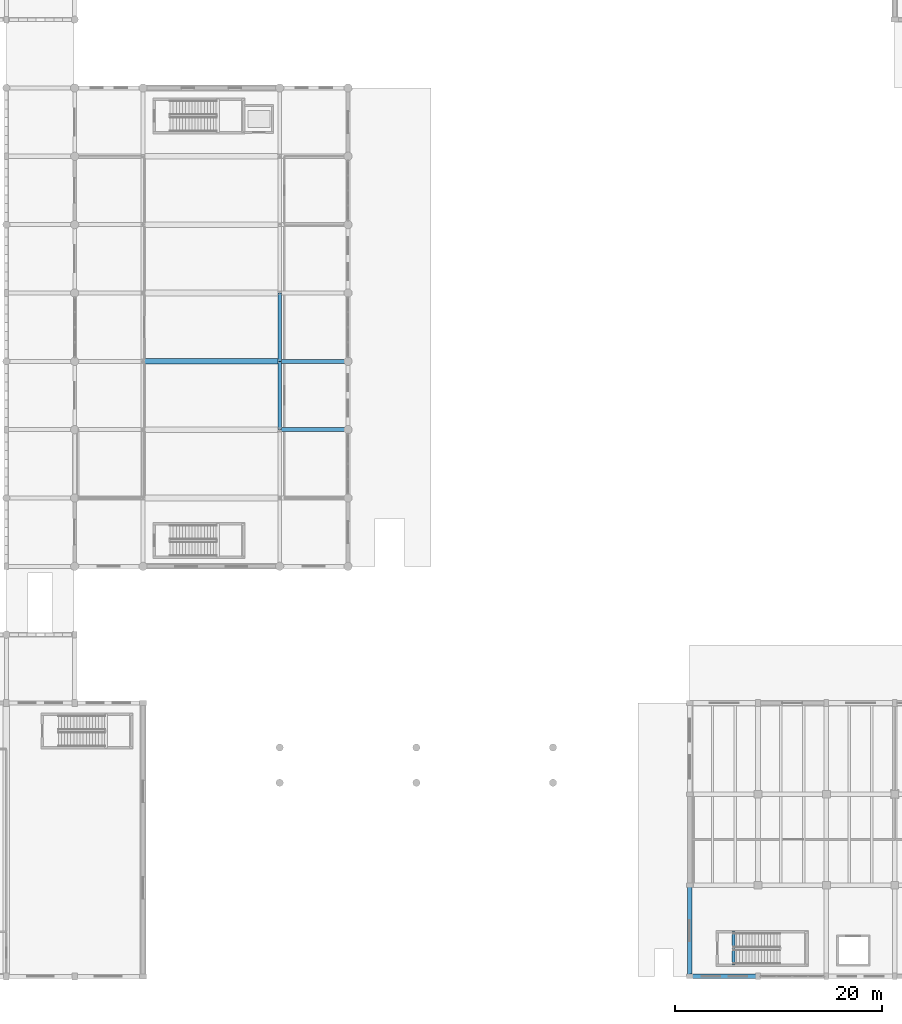
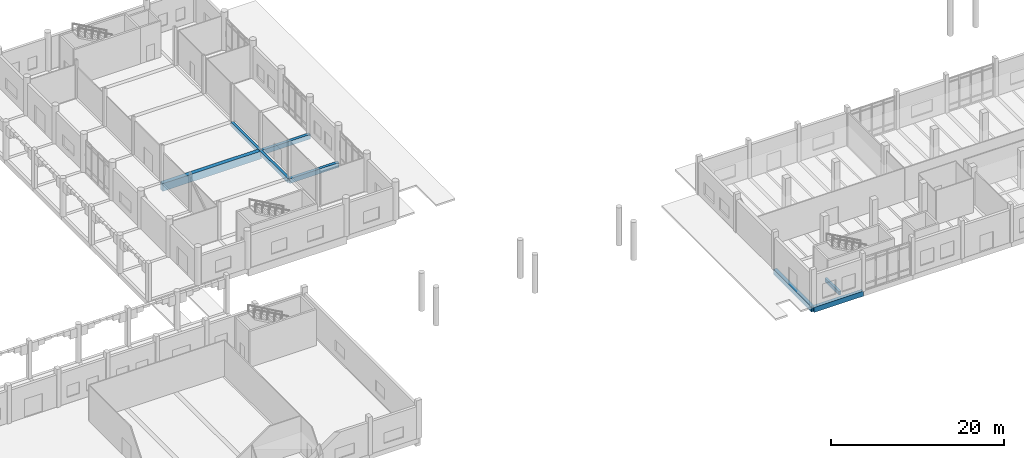
# One storey, part 9 of 72: 8 beams.
"""IFC4 building model written with IfcOpenShell, lengths in metres."""

import ifcopenshell
import ifcopenshell.guid

model = None  # the IFC model being written
_history = None  # IfcOwnerHistory: only IFC2X3 demands one
_inside = {}  # id of a spatial element -> (the spatial element, [elements in it])
_under = {}  # id of a project, library or spatial element -> (it, [spatial elements below it])
_declared = {}  # id of a project -> (the project, [libraries it declares])
_typed = {}  # id of a type object -> (the type object, [elements of that type])
_made_of = {}  # id of a material, layer set ... -> (it, [elements and type objects made of it])


def new_model(schema):
    """Start an empty IFC model of exactly this schema.

    Asked for "IFC4X3", IfcOpenShell would pick the latest addendum, in which some entities
    have other attributes; the version numbers below select the first issue.
    IFC2X3 requires an IfcOwnerHistory on every rooted entity: one is made here for all.
    """
    global model, _history
    if schema == "IFC4X3":
        model = ifcopenshell.file(schema_version=(4, 3, 0, 0))
    else:
        model = ifcopenshell.file(schema=schema)
    _inside.clear()
    _under.clear()
    _declared.clear()
    _typed.clear()
    _made_of.clear()
    _history = None
    if model.schema == "IFC2X3":
        org = make("IfcOrganization", Name="unknown")
        user = make(
            "IfcPersonAndOrganization",
            ThePerson=make("IfcPerson", FamilyName="unknown"),
            TheOrganization=org,
        )
        app = make(
            "IfcApplication",
            ApplicationDeveloper=org,
            Version="unknown",
            ApplicationFullName="unknown",
            ApplicationIdentifier="unknown",
        )
        _history = make(
            "IfcOwnerHistory",
            OwningUser=user,
            OwningApplication=app,
            ChangeAction="ADDED",
            CreationDate=0,
        )
    return model


def make(cls, **values):
    """One entity of the class cls with the attributes given. An attribute that is None is left unset."""
    return model.create_entity(
        cls, **{name: value for name, value in values.items() if value is not None}
    )


def rooted(cls, **values):
    """An entity with a GlobalId (a new one), such as an element, a storey or a relation."""
    return make(cls, GlobalId=ifcopenshell.guid.new(), OwnerHistory=_history, **values)


def si_unit(unit_type, name, prefix=None):
    """IfcSIUnit, for example si_unit("LENGTHUNIT", "METRE", prefix="MILLI")."""
    return make("IfcSIUnit", UnitType=unit_type, Prefix=prefix, Name=name)


def assignment(units):
    """IfcUnitAssignment: the units of a project."""
    return None if units is None else make("IfcUnitAssignment", Units=units)


def point(xyz):
    """IfcCartesianPoint."""
    return None if xyz is None else make("IfcCartesianPoint", Coordinates=xyz)


def direction(xyz):
    """IfcDirection."""
    return None if xyz is None else make("IfcDirection", DirectionRatios=xyz)


def frame(location, z_axis=None, x_axis=None):
    """IfcAxis2Placement3D, a coordinate frame: its origin and axes. An axis left out is left unset."""
    return make(
        "IfcAxis2Placement3D",
        Location=point(location),
        Axis=direction(z_axis),
        RefDirection=direction(x_axis),
    )


def frame_2d(location, x_axis=None):
    """IfcAxis2Placement2D, a coordinate frame in the plane: its origin and x axis."""
    return make(
        "IfcAxis2Placement2D", Location=point(location), RefDirection=direction(x_axis)
    )


def origin():
    """The frame at (0, 0, 0) with its axes left unset."""
    return frame((0.0, 0.0, 0.0))


def origin_2d():
    """The frame at (0, 0) in the plane with its x axis left unset."""
    return frame_2d((0.0, 0.0))


def place(relative_to, where):
    """IfcLocalPlacement: puts the frame where relative to a parent placement (None: the world)."""
    return make(
        "IfcLocalPlacement", PlacementRelTo=relative_to, RelativePlacement=where
    )


def context(
    kind, dimensions, precision=None, world=None, true_north=None, identifier=None
):
    """IfcGeometricRepresentationContext, for example the 3D "Model" context."""
    return make(
        "IfcGeometricRepresentationContext",
        ContextIdentifier=identifier,
        ContextType=kind,
        CoordinateSpaceDimension=dimensions,
        Precision=precision,
        WorldCoordinateSystem=world,
        TrueNorth=true_north,
    )


def subcontext(parent, identifier, kind, view, scale=None):
    """IfcGeometricRepresentationSubContext, for example "Body" below "Model"."""
    return make(
        "IfcGeometricRepresentationSubContext",
        ContextIdentifier=identifier,
        ContextType=kind,
        ParentContext=parent,
        TargetScale=scale,
        TargetView=view,
    )


def project(units=None, contexts=None):
    """IfcProject with its units and contexts."""
    return rooted(
        "IfcProject",
        Name="project",
        RepresentationContexts=contexts,
        UnitsInContext=assignment(units),
    )


def spatial(cls, under=None, at=None, **own):
    """A site, building, storey or space (cls), placed at a placement, below another one or the project."""
    s = rooted(cls, ObjectPlacement=at, **own)
    if under is not None:
        _under.setdefault(under.id(), (under, []))[1].append(s)
    return s


def profile(cls, at=None, kind="AREA", **sizes):
    """A parametric profile (cls). Its sizes go by their IFC names, for example OverallWidth=200.0."""
    return make(cls, ProfileType=kind, Position=at, **sizes)


def rectangle(**sizes):
    """IfcRectangleProfileDef."""
    return profile("IfcRectangleProfileDef", **sizes)


def extrude(swept, where, along, depth):
    """IfcExtrudedAreaSolid: the profile swept, set in the frame where, extruded along a direction by depth."""
    return make(
        "IfcExtrudedAreaSolid",
        SweptArea=swept,
        Position=where,
        ExtrudedDirection=direction(along),
        Depth=depth,
    )


def shape(context_of_items, identifier, shape_type, items):
    """IfcShapeRepresentation: the items that make up one representation, for example the "Body"."""
    return make(
        "IfcShapeRepresentation",
        ContextOfItems=context_of_items,
        RepresentationIdentifier=identifier,
        RepresentationType=shape_type,
        Items=items,
    )


def material(Name=None, Category=None):
    """IfcMaterial."""
    return make("IfcMaterial", Name=Name, Category=Category)


def material_profile(
    of_material, cross_section, Name=None, Category=None, Priority=None
):
    """IfcMaterialProfile: a cross section and its material."""
    return make(
        "IfcMaterialProfile",
        Name=Name,
        Material=of_material,
        Profile=cross_section,
        Priority=Priority,
        Category=Category,
    )


def profile_set(profiles, Name=None, composite=None):
    """IfcMaterialProfileSet."""
    return make(
        "IfcMaterialProfileSet",
        Name=Name,
        MaterialProfiles=profiles,
        CompositeProfile=composite,
    )


def made_of(thing, what):
    """Note that an element or type object is made of a material, layer set ...; save() writes the relation."""
    if what is not None:
        _made_of.setdefault(what.id(), (what, []))[1].append(thing)
    return thing


def type_object(cls, material=None, **own):
    """A type object (cls), such as IfcWallType, which elements share."""
    return made_of(rooted(cls, **own), material)


def element(
    cls,
    number,
    at=None,
    inside=None,
    cuts=None,
    type_object=None,
    material=None,
    context=None,
    identifier="Body",
    shape_type=None,
    held_by="IfcProductDefinitionShape",
    body=None,
    shapes=None,
    **own,
):
    """One element of the class cls, such as IfcWall. Its Tag is "e" and its number.

    at: its placement. inside: the storey or other place that contains it. cuts: it is an
    opening in that element (IfcRelVoidsElement). A single representation is given by context,
    identifier, shape_type and body (its items); several are given by shapes. held_by: the class
    of the entity that holds the representations. save() writes the other relations.
    """
    e = rooted(cls, Tag="e%d" % number, ObjectPlacement=at, **own)
    if body is not None:
        shapes = [shape(context, identifier, shape_type, body)]
    if shapes is not None:
        e.Representation = make(held_by, Representations=shapes)
    if inside is not None:
        _inside.setdefault(inside.id(), (inside, []))[1].append(e)
    if cuts is not None:
        rooted(
            "IfcRelVoidsElement", RelatingBuildingElement=cuts, RelatedOpeningElement=e
        )
    if type_object is not None:
        _typed.setdefault(type_object.id(), (type_object, []))[1].append(e)
    return made_of(e, material)


def aggregate(whole, parts):
    """IfcRelAggregates: a whole, such as a stair, and the parts it consists of."""
    return rooted("IfcRelAggregates", RelatingObject=whole, RelatedObjects=parts)


def save(model, path):
    """Write the relations noted so far, then the file.

    IfcRelAggregates (storeys below a building ...), IfcRelContainedInSpatialStructure (elements
    in a storey), IfcRelDefinesByType, IfcRelAssociatesMaterial and IfcRelDeclares: one each for
    every whole, place, type object, material and project.
    """
    for whole, parts in _under.values():
        aggregate(whole, parts)
    for where, things in _inside.values():
        rooted(
            "IfcRelContainedInSpatialStructure",
            RelatedElements=things,
            RelatingStructure=where,
        )
    for kind, things in _typed.values():
        rooted("IfcRelDefinesByType", RelatedObjects=things, RelatingType=kind)
    for what, things in _made_of.values():
        rooted("IfcRelAssociatesMaterial", RelatedObjects=things, RelatingMaterial=what)
    for by, libraries in _declared.values():
        rooted("IfcRelDeclares", RelatingContext=by, RelatedDefinitions=libraries)
    model.write(path)


model = new_model("IFC4")

# Units and contexts
model_context = context("Model", 3, precision=1e-05, world=origin(), true_north=direction((0.0, 1.0)))
body_context = subcontext(model_context, "Body", "Model", "MODEL_VIEW")
ifc_project = project(units=[si_unit("LENGTHUNIT", "METRE"), si_unit("AREAUNIT", "SQUARE_METRE"), si_unit("VOLUMEUNIT", "CUBIC_METRE"), si_unit("PLANEANGLEUNIT", "RADIAN"), si_unit("MASSUNIT", "GRAM", prefix="KILO")], contexts=[model_context])

# Site, building, storey
site_placement = place(None, origin())
site = spatial("IfcSite", under=ifc_project, at=site_placement, CompositionType="ELEMENT")
building_placement = place(site_placement, origin())
building = spatial("IfcBuilding", under=site, at=building_placement, Name="Dornvale Research Institute", CompositionType="ELEMENT")
storey_placement = place(building_placement, origin())
storey = spatial("IfcBuildingStorey", under=building, at=storey_placement, Name="L00", CompositionType="ELEMENT", Elevation=0.0)

# Beams
ifc_material_1 = material(Name="Concrete f'c 45 MPa (C35/45)", Category="concrete")
ifc_material_profile_1 = material_profile(ifc_material_1, rectangle(XDim=0.300048828125, YDim=0.5, at=origin_2d()), Name="RC 300x500")
ifc_profile_set_1 = profile_set([ifc_material_profile_1], Name="Concrete f'c 45 MPa (C35/45)")
beam_type_1 = type_object("IfcBeamType", Name="Beam_RC300x500_Trim", PredefinedType="BEAM", material=ifc_profile_set_1)
beam_1_placement = place(storey_placement, frame((103.219970703125, 1.080078125, -0.25), z_axis=(0.0, 1.0, 0.0), x_axis=(-1.0, 0.0, 0.0)))
element("IfcBeam", 1, at=beam_1_placement, inside=storey, type_object=beam_type_1, Name="L00 ST-5 stair landing trimmer beam #77", PredefinedType="BEAM", context=body_context, shape_type="SweptSolid", body=[
    extrude(rectangle(XDim=0.300048828125, YDim=0.5, at=origin_2d()), origin(), (0.0, 0.0, 1.0), 3.239990234375),
])
ifc_material_2 = material(Name="Concrete f'c 45 MPa (C35/45)", Category="concrete")
ifc_material_profile_2 = material_profile(ifc_material_2, rectangle(XDim=0.35009765625, YDim=0.60009765625, at=origin_2d()), Name="RC 350x600")
ifc_profile_set_2 = profile_set([ifc_material_profile_2], Name="Concrete f'c 45 MPa (C35/45)")
beam_type_2 = type_object("IfcBeamType", Name="Beam_RC350x600_Floor", PredefinedType="BEAM", material=ifc_profile_set_2)
beam_2_placement = place(storey_placement, frame((59.39990234375, 52.800048828125, -0.300048828125), z_axis=(0.0, 1.0, 0.0), x_axis=(-1.0, 0.0, 0.0)))
element("IfcBeam", 2, at=beam_2_placement, inside=storey, type_object=beam_type_2, Name="L00 transverse girder #256", PredefinedType="BEAM", context=body_context, shape_type="SweptSolid", body=[
    extrude(rectangle(XDim=0.35009765625, YDim=0.60009765625, at=origin_2d()), origin(), (0.0, 0.0, 1.0), 6.599853515625),
])
beam_3_placement = place(storey_placement, frame((59.39990234375, 59.39990234375, -0.300048828125), z_axis=(0.0, 1.0, 0.0), x_axis=(-1.0, 0.0, 0.0)))
element("IfcBeam", 3, at=beam_3_placement, inside=storey, type_object=beam_type_2, Name="L00 transverse girder #257", PredefinedType="BEAM", context=body_context, shape_type="SweptSolid", body=[
    extrude(rectangle(XDim=0.35009765625, YDim=0.60009765625, at=origin_2d()), origin(), (0.0, 0.0, 1.0), 6.60009765625),
])
ifc_material_3 = material(Name="Concrete f'c 45 MPa (C35/45)", Category="concrete")
ifc_material_profile_3 = material_profile(ifc_material_3, rectangle(XDim=0.39990234375, YDim=0.64990234375, at=origin_2d()), Name="RC 400x650")
ifc_profile_set_3 = profile_set([ifc_material_profile_3], Name="Concrete f'c 45 MPa (C35/45)")
beam_type_3 = type_object("IfcBeamType", Name="Beam_RC400x650_Floor", PredefinedType="BEAM", material=ifc_profile_set_3)
for number, where, z_axis, x_axis, name in (
    (4, (59.39990234375, 52.800048828125, -0.324951171875), (1.0, 0.0, 0.0), (0.0, 1.0, 0.0), "L00 primary girder #224"),
    (5, (59.39990234375, 59.39990234375, -0.324951171875), (1.0, 0.0, 0.0), (0.0, 1.0, 0.0), "L00 primary girder #227"),
):
    element("IfcBeam", number, at=place(storey_placement, frame(where, z_axis=z_axis, x_axis=x_axis)), inside=storey, type_object=beam_type_3, Name=name, PredefinedType="BEAM", context=body_context, shape_type="SweptSolid", body=[
        extrude(rectangle(XDim=0.39990234375, YDim=0.64990234375, at=origin_2d()), origin(), (0.0, 0.0, 1.0), 6.60009765625),
    ])
ifc_material_4 = material(Name="Concrete f'c 45 MPa (C35/45)", Category="concrete")
ifc_material_profile_4 = material_profile(ifc_material_4, rectangle(XDim=0.449951171875, YDim=0.715087890625, at=origin_2d()), Name="RC 450x715")
ifc_profile_set_4 = profile_set([ifc_material_profile_4], Name="Concrete f'c 45 MPa (C35/45)")
beam_type_4 = type_object("IfcBeamType", Name="Beam_RC450x715_Lab", PredefinedType="BEAM", material=ifc_profile_set_4)
beam_4_placement = place(storey_placement, frame((99.0, 0.0, -0.357421875), z_axis=(1.0, 0.0, 0.0), x_axis=(0.0, 1.0, 0.0)))
element("IfcBeam", 6, at=beam_4_placement, inside=storey, type_object=beam_type_4, Name="L00 primary girder #131", PredefinedType="BEAM", context=body_context, shape_type="SweptSolid", body=[
    extrude(rectangle(XDim=0.449951171875, YDim=0.715087890625, at=origin_2d()), origin(), (0.0, 0.0, 1.0), 6.60009765625),
])
beam_5_placement = place(storey_placement, frame((99.0, 0.0, -0.357421875), z_axis=(0.0, 1.0, 0.0), x_axis=(-1.0, 0.0, 0.0)))
element("IfcBeam", 7, at=beam_5_placement, inside=storey, type_object=beam_type_4, Name="L00 transverse girder #179", PredefinedType="BEAM", context=body_context, shape_type="SweptSolid", body=[
    extrude(rectangle(XDim=0.449951171875, YDim=0.715087890625, at=origin_2d()), origin(), (0.0, 0.0, 1.0), 8.800048828125),
])
ifc_material_5 = material(Name="Concrete f'c 45 MPa (C35/45)", Category="concrete")
ifc_material_profile_5 = material_profile(ifc_material_5, rectangle(XDim=0.550048828125, YDim=1.10009765625, at=origin_2d()), Name="RC 550x1100")
ifc_profile_set_5 = profile_set([ifc_material_profile_5], Name="Concrete f'c 45 MPa (C35/45)")
beam_type_5 = type_object("IfcBeamType", Name="Beam_RC550x1100_Girder", PredefinedType="BEAM", material=ifc_profile_set_5)
beam_6_placement = place(storey_placement, frame((46.199951171875, 59.39990234375, -0.550048828125), z_axis=(1.0, 0.0, 0.0), x_axis=(0.0, 1.0, 0.0)))
element("IfcBeam", 8, at=beam_6_placement, inside=storey, type_object=beam_type_5, Name="L00 primary girder #226", PredefinedType="BEAM", context=body_context, shape_type="SweptSolid", body=[
    extrude(rectangle(XDim=0.550048828125, YDim=1.10009765625, at=origin_2d()), origin(), (0.0, 0.0, 1.0), 13.199951171875),
])

save(model, "model.ifc")
